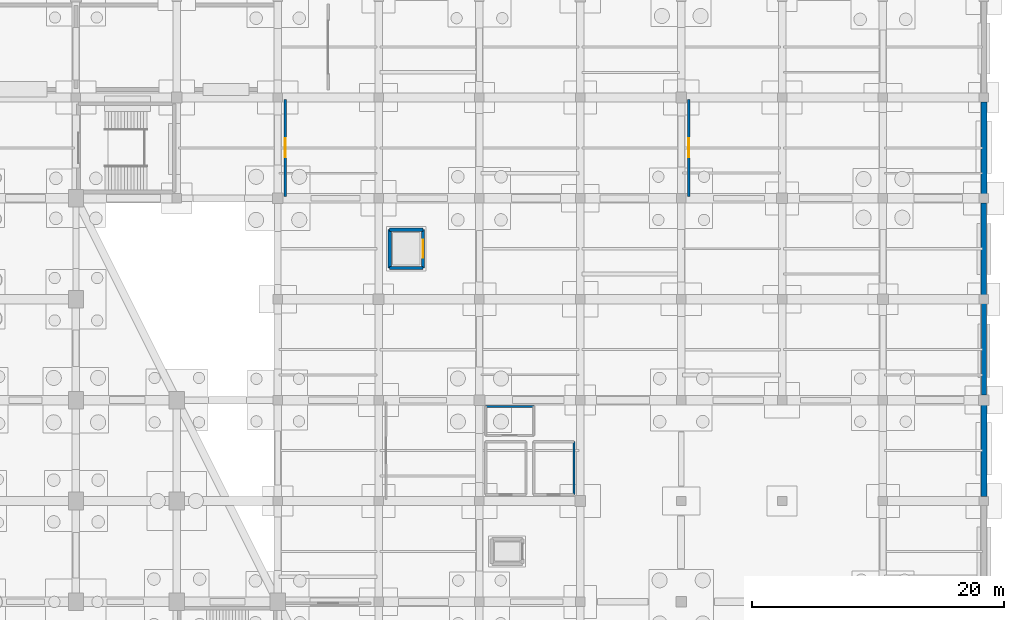
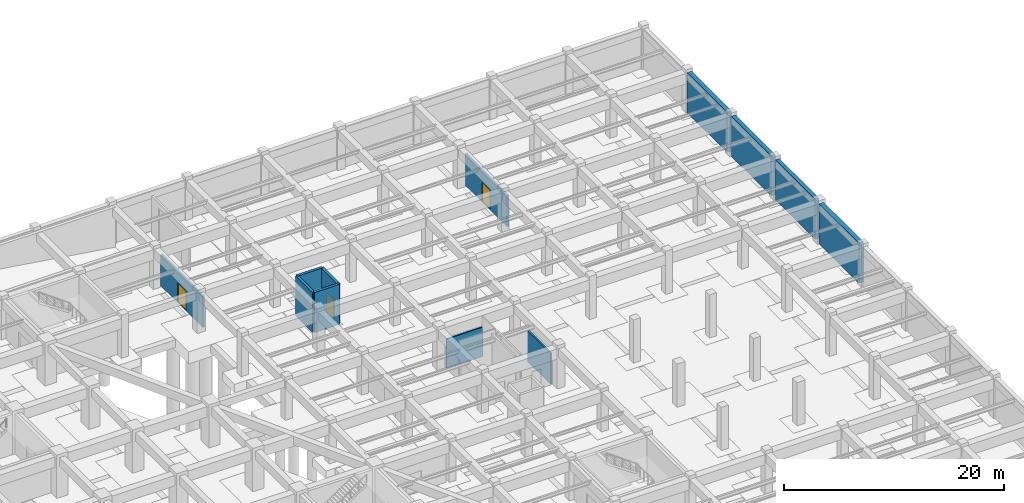
# One storey, part 29 of 36: 12 walls, 3 doors, 3 openings.
"""IFC4 building model written with IfcOpenShell, lengths in metres."""

from ifc_helpers import new_model, si_unit, direction, frame, frame_2d, origin, place, context, subcontext, project, spatial, rectangle, extrude, material, layer, layer_set, type_object, element, fill, save


model = new_model("IFC4")

# Units and contexts
model_context = context("Model", 3, precision=1e-05, world=origin(), true_north=direction((0.0, 1.0)))
body_context = subcontext(model_context, "Body", "Model", "MODEL_VIEW")
ifc_project = project(units=[si_unit("LENGTHUNIT", "METRE"), si_unit("AREAUNIT", "SQUARE_METRE"), si_unit("VOLUMEUNIT", "CUBIC_METRE"), si_unit("PLANEANGLEUNIT", "RADIAN"), si_unit("MASSUNIT", "GRAM", prefix="KILO")], contexts=[model_context])

# Site, building, storey
site_placement = place(None, origin())
site = spatial("IfcSite", under=ifc_project, at=site_placement, CompositionType="ELEMENT")
building_placement = place(site_placement, origin())
building = spatial("IfcBuilding", under=site, at=building_placement, Name="Tazarka Park Arena", CompositionType="ELEMENT")
storey_placement = place(building_placement, frame((0.0, 0.0, -4.800048828125)))
storey = spatial("IfcBuildingStorey", under=building, at=storey_placement, Name="B1", CompositionType="ELEMENT", Elevation=-4.800048828125)

# Walls
ifc_material_1 = material(Name="Concrete C40/50", Category="concrete")
ifc_layer_1 = layer(ifc_material_1, 0.260009765625, Name="Concrete C40/50")
ifc_layer_set_1 = layer_set([ifc_layer_1], Name="Concrete C40/50")
wall_type_1 = type_object("IfcWallType", Name="IWAL-CW-S3", PredefinedType="SHEAR", material=ifc_layer_set_1)
wall_1_placement = place(storey_placement, frame((136.8798828125, 106.47998046875, 0.0), z_axis=(0.0, 0.0, 1.0), x_axis=(0.0, 1.0, 0.0)))
element("IfcWall", 1, at=wall_1_placement, inside=storey, type_object=wall_type_1, Name="LSW-B1-LF-12-W", PredefinedType="SHEAR", context=body_context, shape_type="SweptSolid", body=[
    extrude(rectangle(XDim=3.0400390625, YDim=0.260009765625, at=frame_2d((1.52001953125, 0.0))), origin(), (0.0, 0.0, 1.0), 4.4599609375),
])
for number, where, z_axis, x_axis, name in (
    (2, (136.8798828125, 109.52001953125, 0.0), (0.0, 0.0, 1.0), (1.0, 0.0, 0.0), "LSW-B1-LF-12-N"),
    (3, (139.52001953125, 106.47998046875, 0.0), (0.0, 0.0, 1.0), (-1.0, 0.0, 0.0), "LSW-B1-LF-12-S"),
):
    element("IfcWall", number, at=place(storey_placement, frame(where, z_axis=z_axis, x_axis=x_axis)), inside=storey, type_object=wall_type_1, Name=name, PredefinedType="SHEAR", context=body_context, shape_type="SweptSolid", body=[
        extrude(rectangle(XDim=2.64013671875, YDim=0.260009765625, at=frame_2d((1.320068359375, 0.0))), origin(), (0.0, 0.0, 1.0), 4.4599609375),
    ])

# Wall, opening, door
wall_2_placement = place(storey_placement, frame((139.52001953125, 109.52001953125, 0.0), z_axis=(0.0, 0.0, 1.0), x_axis=(0.0, -1.0, 0.0)))
wall_2 = element("IfcWall", 4, at=wall_2_placement, inside=storey, type_object=wall_type_1, Name="LSW-B1-LF-12-E", PredefinedType="SHEAR", context=body_context, shape_type="SweptSolid", body=[
    extrude(rectangle(XDim=3.0400390625, YDim=0.260009765625, at=frame_2d((1.52001953125, 0.0))), origin(), (0.0, 0.0, 1.0), 4.4599609375),
])
opening_1_placement = place(wall_2_placement, frame((0.820068359375, 0.0, 0.0)))
opening_1 = element("IfcOpeningElement", 5, at=opening_1_placement, cuts=wall_2, Name="Opening LD-03", PredefinedType="OPENING", context=body_context, shape_type="SweptSolid", body=[
    extrude(rectangle(XDim=1.39990234375, YDim=2.199951171875, at=frame_2d((0.699951171875, 1.10009765625))), frame((0.0, 0.14013671875, 0.0), z_axis=(0.0, -1.0, 0.0), x_axis=(1.0, 0.0, 0.0)), (0.0, 0.0, 1.0), 0.280029296875),
])
ifc_material_2 = material(Name="Fire-rated powder-coated steel and acoustic timber", Category="steel")
door_type_1 = type_object("IfcDoorType", Name="IDR-LD-03", OperationType="NOTDEFINED", PredefinedType="DOOR", material=ifc_material_2)
door_1_placement = place(opening_1_placement, origin())
door_1 = element("IfcDoor", 6, at=door_1_placement, inside=storey, type_object=door_type_1, Name="Lift Landing Door LF-12-B1", OperationType="SLIDING_TO_LEFT", OverallHeight=2.199951171875, OverallWidth=1.39990234375, PredefinedType="DOOR", context=body_context, shape_type="SweptSolid", body=[
    extrude(rectangle(XDim=1.39990234375, YDim=2.199951171875, at=frame_2d((0.699951171875, 1.10009765625))), frame((0.0, 0.02490234375, 0.0), z_axis=(0.0, -1.0, 0.0), x_axis=(1.0, 0.0, 0.0)), (0.0, 0.0, 1.0), 0.050048828125),
])
fill(opening_1, door_1)

ifc_material_3 = material(Name="Reinforced masonry compartment wall", Category="masonry")
ifc_layer_2 = layer(ifc_material_3, 0.199951171875, Name="Reinforced masonry compartment wall")
ifc_layer_set_2 = layer_set([ifc_layer_2], Name="Reinforced masonry compartment wall")
wall_type_2 = type_object("IfcWallType", Name="IWAL-PT-04", PredefinedType="PARTITIONING", material=ifc_layer_set_2)
wall_3_placement = place(storey_placement, frame((128.60009765625, 112.1533203125, 0.0), z_axis=(0.0, 0.0, 1.0), x_axis=(0.0, 1.0, 0.0)))
wall_3 = element("IfcWall", 7, at=wall_3_placement, inside=storey, type_object=wall_type_2, Name="PRT-B1-002", PredefinedType="PARTITIONING", context=body_context, shape_type="SweptSolid", body=[
    extrude(rectangle(XDim=7.693359375, YDim=0.199951171875, at=frame_2d((3.8466796875, 0.0))), origin(), (0.0, 0.0, 1.0), 3.449951171875),
])
opening_2_placement = place(wall_3_placement, frame((3.0966796875, 0.0, 0.0)))
opening_2 = element("IfcOpeningElement", 8, at=opening_2_placement, cuts=wall_3, Name="Opening ID-06", PredefinedType="OPENING", context=body_context, shape_type="SweptSolid", body=[
    extrude(rectangle(XDim=1.5, YDim=2.199951171875, at=frame_2d((0.75, 1.10009765625))), frame((0.0, 0.10986328125, 0.0), z_axis=(0.0, -1.0, 0.0), x_axis=(1.0, 0.0, 0.0)), (0.0, 0.0, 1.0), 0.219970703125),
])
ifc_material_4 = material(Name="Fire-rated powder-coated steel and acoustic timber", Category="steel")
door_type_2 = type_object("IfcDoorType", Name="IDR-ID-06", OperationType="NOTDEFINED", PredefinedType="DOOR", material=ifc_material_4)
door_2_placement = place(opening_2_placement, origin())
door_2 = element("IfcDoor", 9, at=door_2_placement, inside=storey, type_object=door_type_2, Name="Room Door Medium Voltage Transformer and Standby Power Hall", OperationType="DOUBLE_DOOR_SINGLE_SWING", OverallHeight=2.199951171875, OverallWidth=1.5, PredefinedType="DOOR", context=body_context, shape_type="SweptSolid", body=[
    extrude(rectangle(XDim=1.5, YDim=2.199951171875, at=frame_2d((0.75, 1.10009765625))), frame((0.0, 0.02490234375, 0.0), z_axis=(0.0, -1.0, 0.0), x_axis=(1.0, 0.0, 0.0)), (0.0, 0.0, 1.0), 0.050048828125),
])
fill(opening_2, door_2)

wall_4_placement = place(storey_placement, frame((160.60009765625, 112.1533203125, 0.0), z_axis=(0.0, 0.0, 1.0), x_axis=(0.0, 1.0, 0.0)))
wall_4 = element("IfcWall", 10, at=wall_4_placement, inside=storey, type_object=wall_type_2, Name="PRT-B1-003", PredefinedType="PARTITIONING", context=body_context, shape_type="SweptSolid", body=[
    extrude(rectangle(XDim=7.693359375, YDim=0.199951171875, at=frame_2d((3.8466796875, 0.0))), origin(), (0.0, 0.0, 1.0), 3.449951171875),
])
opening_3_placement = place(wall_4_placement, frame((3.0966796875, 0.0, 0.0)))
opening_3 = element("IfcOpeningElement", 11, at=opening_3_placement, cuts=wall_4, Name="Opening ID-06", PredefinedType="OPENING", context=body_context, shape_type="SweptSolid", body=[
    extrude(rectangle(XDim=1.5, YDim=2.199951171875, at=frame_2d((0.75, 1.10009765625))), frame((0.0, 0.10986328125, 0.0), z_axis=(0.0, -1.0, 0.0), x_axis=(1.0, 0.0, 0.0)), (0.0, 0.0, 1.0), 0.219970703125),
])
door_3_placement = place(opening_3_placement, origin())
door_3 = element("IfcDoor", 12, at=door_3_placement, inside=storey, type_object=door_type_2, Name="Room Door Fire Reserve Water Tank and Sprinkler Pump Room", OperationType="DOUBLE_DOOR_SINGLE_SWING", OverallHeight=2.199951171875, OverallWidth=1.5, PredefinedType="DOOR", context=body_context, shape_type="SweptSolid", body=[
    extrude(rectangle(XDim=1.5, YDim=2.199951171875, at=frame_2d((0.75, 1.10009765625))), frame((0.0, 0.02490234375, 0.0), z_axis=(0.0, -1.0, 0.0), x_axis=(1.0, 0.0, 0.0)), (0.0, 0.0, 1.0), 0.050048828125),
])
fill(opening_3, door_3)

# Walls
ifc_material_5 = material(Name="Acoustic gypsum stud partition")
ifc_layer_3 = layer(ifc_material_5, 0.135009765625, Name="Acoustic gypsum stud partition")
ifc_layer_set_3 = layer_set([ifc_layer_3], Name="Acoustic gypsum stud partition")
wall_type_3 = type_object("IfcWallType", Name="IWAL-PT-10", PredefinedType="PARTITIONING", material=ifc_layer_set_3)
wall_5_placement = place(storey_placement, frame((148.300048828125, 95.5, 0.0), z_axis=(0.0, 0.0, 1.0), x_axis=(-1.0, 0.0, 0.0)))
element("IfcWall", 13, at=wall_5_placement, inside=storey, type_object=wall_type_3, Name="WCE-B1-023", PredefinedType="PARTITIONING", context=body_context, shape_type="SweptSolid", body=[
    extrude(rectangle(XDim=3.800048828125, YDim=0.135009765625, at=frame_2d((1.89990234375, 0.0))), origin(), (0.0, 0.0, 1.0), 3.25),
])
ifc_material_6 = material(Name="Wet-zone tiled blockwork wall", Category="masonry")
ifc_layer_4 = layer(ifc_material_6, 0.175048828125, Name="Wet-zone tiled blockwork wall")
ifc_layer_set_4 = layer_set([ifc_layer_4], Name="Wet-zone tiled blockwork wall")
wall_type_4 = type_object("IfcWallType", Name="IWAL-PT-18", PredefinedType="PARTITIONING", material=ifc_layer_set_4)
wall_6_placement = place(storey_placement, frame((151.5, 88.5, 0.0), z_axis=(0.0, 0.0, 1.0), x_axis=(0.0, 1.0, 0.0)))
element("IfcWall", 14, at=wall_6_placement, inside=storey, type_object=wall_type_4, Name="WCE-B1-018", PredefinedType="PARTITIONING", context=body_context, shape_type="SweptSolid", body=[
    extrude(rectangle(XDim=4.199951171875, YDim=0.175048828125, at=frame_2d((2.10009765625, 0.0))), origin(), (0.0, 0.0, 1.0), 3.449951171875),
])
ifc_material_7 = material(Name="Concrete C35/45", Category="concrete")
ifc_layer_5 = layer(ifc_material_7, 0.39990234375, Name="Concrete C35/45")
ifc_layer_set_5 = layer_set([ifc_layer_5], Name="Concrete C35/45")
wall_type_5 = type_object("IfcWallType", Name="WAL-RW-01", PredefinedType="USERDEFINED", material=ifc_layer_set_5)
wall_7_placement = place(storey_placement, frame((184.0, 103.64501953125, 0.0), z_axis=(0.0, 0.0, 1.0), x_axis=(0.0, -1.0, 0.0)))
element("IfcWall", 15, at=wall_7_placement, inside=storey, type_object=wall_type_5, Name="EW-B1-0018", ObjectType="RETAININGWALL", PredefinedType="USERDEFINED", context=body_context, shape_type="SweptSolid", body=[
    extrude(rectangle(XDim=7.239990234375, YDim=0.39990234375, at=frame_2d((3.6201171875, 0.0))), origin(), (0.0, 0.0, 1.0), 4.4599609375),
])
ifc_material_8 = material(Name="Concrete C35/45", Category="concrete")
ifc_layer_6 = layer(ifc_material_8, 0.43994140625, Name="Concrete C35/45")
ifc_layer_set_6 = layer_set([ifc_layer_6], Name="Concrete C35/45")
wall_type_6 = type_object("IfcWallType", Name="WAL-RW-02", PredefinedType="USERDEFINED", material=ifc_layer_set_6)
wall_8_placement = place(storey_placement, frame((184.0, 111.64501953125, 0.0), z_axis=(0.0, 0.0, 1.0), x_axis=(0.0, -1.0, 0.0)))
element("IfcWall", 16, at=wall_8_placement, inside=storey, type_object=wall_type_6, Name="EW-B1-0019", ObjectType="RETAININGWALL", PredefinedType="USERDEFINED", context=body_context, shape_type="SweptSolid", body=[
    extrude(rectangle(XDim=7.2900390625, YDim=0.43994140625, at=frame_2d((3.64501953125, 0.0))), origin(), (0.0, 0.0, 1.0), 4.4599609375),
])
ifc_material_9 = material(Name="Concrete C35/45", Category="concrete")
ifc_layer_7 = layer(ifc_material_9, 0.47998046875, Name="Concrete C35/45")
ifc_layer_set_7 = layer_set([ifc_layer_7], Name="Concrete C35/45")
wall_type_7 = type_object("IfcWallType", Name="WAL-RW-03", PredefinedType="USERDEFINED", material=ifc_layer_set_7)
wall_9_placement = place(storey_placement, frame((184.0, 95.594970703125, 0.0), z_axis=(0.0, 0.0, 1.0), x_axis=(0.0, -1.0, 0.0)))
element("IfcWall", 17, at=wall_9_placement, inside=storey, type_object=wall_type_7, Name="EW-B1-0017", ObjectType="RETAININGWALL", PredefinedType="USERDEFINED", context=body_context, shape_type="SweptSolid", body=[
    extrude(rectangle(XDim=7.239990234375, YDim=0.47998046875, at=frame_2d((3.6201171875, 0.0))), origin(), (0.0, 0.0, 1.0), 4.4599609375),
])
wall_10_placement = place(storey_placement, frame((184.0, 119.64501953125, 0.0), z_axis=(0.0, 0.0, 1.0), x_axis=(0.0, -1.0, 0.0)))
element("IfcWall", 18, at=wall_10_placement, inside=storey, type_object=wall_type_7, Name="EW-B1-0020", ObjectType="RETAININGWALL", PredefinedType="USERDEFINED", context=body_context, shape_type="SweptSolid", body=[
    extrude(rectangle(XDim=7.2900390625, YDim=0.47998046875, at=frame_2d((3.64501953125, 0.0))), origin(), (0.0, 0.0, 1.0), 4.4599609375),
])

save(model, "model.ifc")
